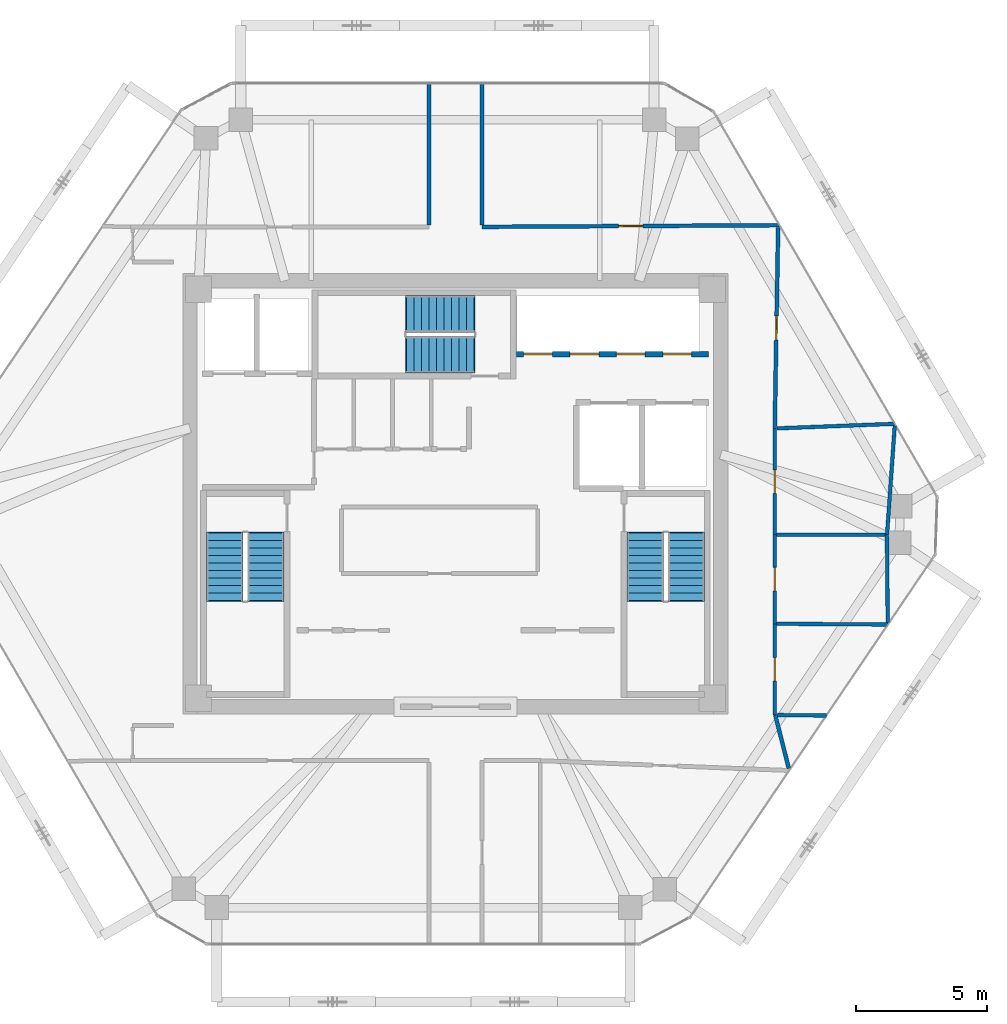
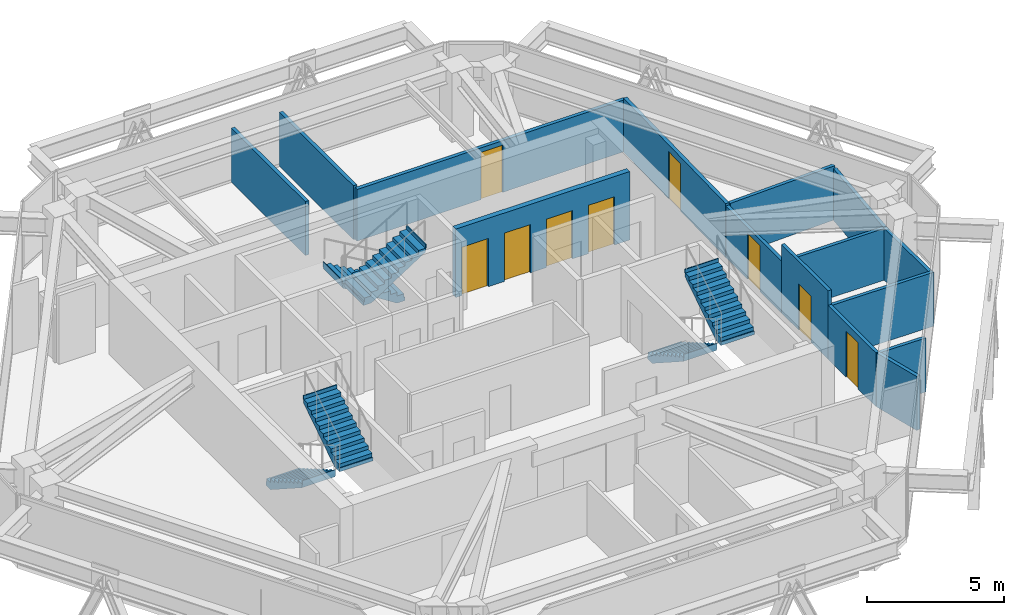
# One storey, part 11 of 12: 15 walls, 9 doors, 6 stair flights, 9 openings, 3 elements without a shape of their own.
"""IFC4 building model written with IfcOpenShell, lengths in metres."""

from ifc_helpers import new_model, si_unit, direction, frame, frame_2d, origin, place, context, subcontext, project, spatial, polyline, rectangle, outline, extrude, source, transform, mapped, material, layer, layer_set, type_object, type_shapes, element, fill, aggregate, save


model = new_model("IFC4")

# Units and contexts
model_context = context("Model", 3, precision=1e-05, world=origin(), true_north=direction((0.0, 1.0)))
body_context = subcontext(model_context, "Body", "Model", "MODEL_VIEW")
ifc_project = project(units=[si_unit("LENGTHUNIT", "METRE"), si_unit("AREAUNIT", "SQUARE_METRE"), si_unit("VOLUMEUNIT", "CUBIC_METRE"), si_unit("PLANEANGLEUNIT", "RADIAN"), si_unit("MASSUNIT", "GRAM", prefix="KILO")], contexts=[model_context])

# Site, building, storey
site_placement = place(None, origin())
site = spatial("IfcSite", under=ifc_project, at=site_placement, CompositionType="ELEMENT")
building_placement = place(site_placement, origin())
building = spatial("IfcBuilding", under=site, at=building_placement, Name="Durnholm Broadcast Tower", CompositionType="ELEMENT")
storey_placement = place(building_placement, frame((0.0, 0.0, 221.60009765625)))
storey = spatial("IfcBuildingStorey", under=building, at=storey_placement, Name="L61", CompositionType="ELEMENT", Elevation=221.60009765625)

# Wall
ifc_material_1 = material(Name="Acoustic Gypsum Stud Partition", Category="concrete")
ifc_layer_1 = layer(ifc_material_1, 0.14990234375)
ifc_layer_set_1 = layer_set([ifc_layer_1], Name="Acoustic Gypsum Stud Partition")
wall_type_1 = type_object("IfcWallType", Name="WALL-PART-150", PredefinedType="PARTITIONING", material=ifc_layer_set_1)
wall_1_placement = place(storey_placement, frame((-1.010009765625, 15.662109375, 0.0), z_axis=(0.0, 0.0, 1.0), x_axis=(0.0, -1.0, 0.0)))
element("IfcWall", 1, at=wall_1_placement, inside=storey, type_object=wall_type_1, Name="L61 Open Plan Broadcast Workspace 2 corridor partition", PredefinedType="PARTITIONING", context=body_context, shape_type="SweptSolid", body=[
    extrude(rectangle(XDim=5.403076171875, YDim=0.14990234375, at=frame_2d((2.70166015625, 0.0))), origin(), (0.0, 0.0, 1.0), 2.398681640625),
])

# Wall, opening, door
wall_2_placement = place(storey_placement, frame((12.368408203125, 10.242919921875, 0.0), z_axis=(0.0, 0.0, 1.0), x_axis=(-0.999984623931, -0.005545439622, 0.0)))
wall_2 = element("IfcWall", 2, at=wall_2_placement, inside=storey, type_object=wall_type_1, Name="L61 Open Plan Broadcast Workspace 3 corridor partition", PredefinedType="PARTITIONING", context=body_context, shape_type="SweptSolid", body=[
    extrude(rectangle(XDim=11.358642578125, YDim=0.14990234375, at=frame_2d((5.67919921875, 0.0))), origin(), (0.0, 0.0, 1.0), 2.30126953125),
])
opening_1_placement = place(wall_2_placement, frame((5.21923828125, 0.0, 0.0)))
opening_1 = element("IfcOpeningElement", 3, at=opening_1_placement, cuts=wall_2, Name="Opening DR-92R", PredefinedType="OPENING", context=body_context, shape_type="SweptSolid", body=[
    extrude(rectangle(XDim=0.919921875, YDim=2.10009765625, at=frame_2d((0.4599609375, 1.050048828125))), frame((0.0, 0.0849609375, 0.0), z_axis=(0.0, -1.0, 0.0), x_axis=(1.0, 0.0, 0.0)), (0.0, 0.0, 1.0), 0.169921875),
])
ifc_material_2 = material(Name="Oak Veneer Office Door", Category="wood")
ifc_layer_2 = layer(ifc_material_2, 0.050048828125)
ifc_layer_set_2 = layer_set([ifc_layer_2], Name="Oak Veneer Office Door")
door_type_1 = type_object("IfcDoorType", Name="DOOR-RM-920R", OperationType="NOTDEFINED", PredefinedType="DOOR", material=ifc_layer_set_2)
shared_shape_1 = source(origin(), body_context, "Body", "SweptSolid", [
    extrude(rectangle(XDim=0.919921875, YDim=2.10009765625, at=frame_2d((0.4599609375, 1.050048828125))), frame((0.0, 0.02490234375, 0.0), z_axis=(0.0, -1.0, 0.0), x_axis=(1.0, 0.0, 0.0)), (0.0, 0.0, 1.0), 0.050048828125),
])
type_shapes(door_type_1, [shared_shape_1])
door_1_placement = place(opening_1_placement, origin())
door_1 = element("IfcDoor", 4, at=door_1_placement, inside=storey, type_object=door_type_1, Name="L61 Open Plan Broadcast Workspace 3 entrance door", OperationType="SINGLE_SWING_RIGHT", OverallHeight=2.10009765625, OverallWidth=0.919921875, PredefinedType="DOOR", context=body_context, shape_type="MappedRepresentation", body=[
    mapped(shared_shape_1, transform((0.0, 0.0, 0.0), x_axis=(1.0, 0.0, 0.0), y_axis=(0.0, 1.0, 0.0), z_axis=(0.0, 0.0, 1.0), scale=1.0)),
])
fill(opening_1, door_1)

# Walls
wall_3_placement = place(storey_placement, frame((1.010009765625, 10.259033203125, 0.0), z_axis=(0.0, 0.0, 1.0), x_axis=(0.0, 1.0, 0.0)))
element("IfcWall", 5, at=wall_3_placement, inside=storey, type_object=wall_type_1, Name="L61 Open Plan Broadcast Workspace 3 corridor partition", PredefinedType="PARTITIONING", context=body_context, shape_type="SweptSolid", body=[
    extrude(rectangle(XDim=5.403076171875, YDim=0.14990234375, at=frame_2d((2.70166015625, 0.0))), origin(), (0.0, 0.0, 1.0), 2.398681640625),
])
wall_4_placement = place(storey_placement, frame((12.718505859375, -10.477783203125, 0.0), z_axis=(0.0, 0.0, 1.0), x_axis=(-0.246494896578, 0.96914408937, 0.0)))
element("IfcWall", 6, at=wall_4_placement, inside=storey, type_object=wall_type_1, Name="L61 Open Plan Broadcast Workspace 6 corridor partition", PredefinedType="PARTITIONING", context=body_context, shape_type="SweptSolid", body=[
    extrude(rectangle(XDim=2.102783203125, YDim=0.14990234375, at=frame_2d((1.05126953125, 0.0))), origin(), (0.0, 0.0, 1.0), 2.398681640625),
])

# Wall, opening, door
wall_5_placement = place(storey_placement, frame((12.181396484375, 2.489990234375, 0.0), z_axis=(0.0, 0.0, 1.0), x_axis=(0.016828134389, 0.999858396921, 0.0)))
wall_5 = element("IfcWall", 7, at=wall_5_placement, inside=storey, type_object=wall_type_1, Name="L61 Open Plan Broadcast Workspace 3 corridor partition", PredefinedType="PARTITIONING", context=body_context, shape_type="SweptSolid", body=[
    extrude(rectangle(XDim=7.674560546875, YDim=0.14990234375, at=frame_2d((3.83740234375, 0.0))), origin(), (0.0, 0.0, 1.0), 2.398681640625),
])
opening_2_placement = place(wall_5_placement, frame((3.377197265625, 0.0, 0.0)))
opening_2 = element("IfcOpeningElement", 8, at=opening_2_placement, cuts=wall_5, Name="Opening DR-92R", PredefinedType="OPENING", context=body_context, shape_type="SweptSolid", body=[
    extrude(rectangle(XDim=0.919921875, YDim=2.10009765625, at=frame_2d((0.4599609375, 1.050048828125))), frame((0.0, 0.0849609375, 0.0), z_axis=(0.0, -1.0, 0.0), x_axis=(1.0, 0.0, 0.0)), (0.0, 0.0, 1.0), 0.169921875),
])
door_2_placement = place(opening_2_placement, origin())
door_2 = element("IfcDoor", 9, at=door_2_placement, inside=storey, type_object=door_type_1, Name="L61 Open Plan Broadcast Workspace 3 entrance door", OperationType="SINGLE_SWING_RIGHT", OverallHeight=2.10009765625, OverallWidth=0.919921875, PredefinedType="DOOR", context=body_context, shape_type="MappedRepresentation", body=[
    mapped(shared_shape_1, transform((0.0, 0.0, 0.0), x_axis=(1.0, 0.0, 0.0), y_axis=(0.0, 1.0, 0.0), z_axis=(0.0, 0.0, 1.0), scale=1.0)),
])
fill(opening_2, door_2)

# Wall, openings, doors
ifc_material_3 = material(Name="Concrete Blockwork C30/37", Category="masonry")
ifc_layer_3 = layer(ifc_material_3, 0.219970703125)
ifc_layer_set_3 = layer_set([ifc_layer_3], Name="Concrete Blockwork C30/37")
wall_type_2 = type_object("IfcWallType", Name="WALL-SHAFT-220", PredefinedType="SOLIDWALL", material=ifc_layer_set_3)
wall_6_placement = place(storey_placement, frame((2.324951171875, 5.320068359375, 0.0), z_axis=(0.0, 0.0, 1.0), x_axis=(1.0, 0.0, 0.0)))
wall_6 = element("IfcWall", 10, at=wall_6_placement, inside=storey, type_object=wall_type_2, Name="L61 high-rise bank P3 south front wall", PredefinedType="SOLIDWALL", context=body_context, shape_type="SweptSolid", body=[
    extrude(rectangle(XDim=7.324951171875, YDim=0.219970703125, at=frame_2d((3.66259765625, 0.0))), origin(), (0.0, 0.0, 1.0), 3.044921875),
])
opening_3_placement = place(wall_6_placement, frame((0.27490234375, 0.0, 0.0)))
opening_3 = element("IfcOpeningElement", 11, at=opening_3_placement, cuts=wall_6, Name="Opening LD-LP3-1", PredefinedType="OPENING", context=body_context, shape_type="SweptSolid", body=[
    extrude(rectangle(XDim=1.10009765625, YDim=2.14990234375, at=frame_2d((0.550048828125, 1.074951171875))), frame((0.0, 0.1201171875, 0.0), z_axis=(0.0, -1.0, 0.0), x_axis=(1.0, 0.0, 0.0)), (0.0, 0.0, 1.0), 0.239990234375),
])
opening_4_placement = place(wall_6_placement, frame((2.044921875, 0.0, 0.0)))
opening_4 = element("IfcOpeningElement", 12, at=opening_4_placement, cuts=wall_6, Name="Opening LD-LP3-2", PredefinedType="OPENING", context=body_context, shape_type="SweptSolid", body=[
    extrude(rectangle(XDim=1.10009765625, YDim=2.14990234375, at=frame_2d((0.550048828125, 1.074951171875))), frame((0.0, 0.1201171875, 0.0), z_axis=(0.0, -1.0, 0.0), x_axis=(1.0, 0.0, 0.0)), (0.0, 0.0, 1.0), 0.239990234375),
])
opening_5_placement = place(wall_6_placement, frame((3.81494140625, 0.0, 0.0)))
opening_5 = element("IfcOpeningElement", 13, at=opening_5_placement, cuts=wall_6, Name="Opening LD-LP3-3", PredefinedType="OPENING", context=body_context, shape_type="SweptSolid", body=[
    extrude(rectangle(XDim=1.10009765625, YDim=2.14990234375, at=frame_2d((0.550048828125, 1.074951171875))), frame((0.0, 0.1201171875, 0.0), z_axis=(0.0, -1.0, 0.0), x_axis=(1.0, 0.0, 0.0)), (0.0, 0.0, 1.0), 0.239990234375),
])
opening_6_placement = place(wall_6_placement, frame((5.5849609375, 0.0, 0.0)))
opening_6 = element("IfcOpeningElement", 14, at=opening_6_placement, cuts=wall_6, Name="Opening LD-LP3-4", PredefinedType="OPENING", context=body_context, shape_type="SweptSolid", body=[
    extrude(rectangle(XDim=1.10009765625, YDim=2.14990234375, at=frame_2d((0.550048828125, 1.074951171875))), frame((0.0, 0.1201171875, 0.0), z_axis=(0.0, -1.0, 0.0), x_axis=(1.0, 0.0, 0.0)), (0.0, 0.0, 1.0), 0.239990234375),
])
ifc_material_4 = material(Name="Stainless Steel Sliding Elevator Landing Door", Category="steel")
ifc_layer_4 = layer(ifc_material_4, 0.050048828125)
ifc_layer_set_4 = layer_set([ifc_layer_4], Name="Stainless Steel Sliding Elevator Landing Door")
door_type_2 = type_object("IfcDoorType", Name="DOOR-LIFT-PAX", OperationType="DOUBLE_DOOR_SLIDING", PredefinedType="DOOR", material=ifc_layer_set_4)
shared_shape_2 = source(origin(), body_context, "Body", "SweptSolid", [
    extrude(rectangle(XDim=1.10009765625, YDim=2.14990234375, at=frame_2d((0.550048828125, 1.074951171875))), frame((0.0, 0.02490234375, 0.0), z_axis=(0.0, -1.0, 0.0), x_axis=(1.0, 0.0, 0.0)), (0.0, 0.0, 1.0), 0.050048828125),
])
type_shapes(door_type_2, [shared_shape_2])
door_3_placement = place(opening_3_placement, origin())
door_3 = element("IfcDoor", 15, at=door_3_placement, inside=storey, type_object=door_type_2, Name="L61 high-rise elevator LP3-1 sliding landing door", OperationType="DOUBLE_DOOR_SLIDING", OverallHeight=2.14990234375, OverallWidth=1.10009765625, PredefinedType="DOOR", context=body_context, shape_type="MappedRepresentation", body=[
    mapped(shared_shape_2, transform((0.0, 0.0, 0.0), x_axis=(1.0, 0.0, 0.0), y_axis=(0.0, 1.0, 0.0), z_axis=(0.0, 0.0, 1.0), scale=1.0)),
])
fill(opening_3, door_3)
door_4_placement = place(opening_4_placement, origin())
door_4 = element("IfcDoor", 16, at=door_4_placement, inside=storey, type_object=door_type_2, Name="L61 high-rise elevator LP3-2 sliding landing door", OperationType="DOUBLE_DOOR_SLIDING", OverallHeight=2.14990234375, OverallWidth=1.10009765625, PredefinedType="DOOR", context=body_context, shape_type="MappedRepresentation", body=[
    mapped(shared_shape_2, transform((0.0, 0.0, 0.0), x_axis=(1.0, 0.0, 0.0), y_axis=(0.0, 1.0, 0.0), z_axis=(0.0, 0.0, 1.0), scale=1.0)),
])
fill(opening_4, door_4)
door_5_placement = place(opening_5_placement, origin())
door_5 = element("IfcDoor", 17, at=door_5_placement, inside=storey, type_object=door_type_2, Name="L61 high-rise elevator LP3-3 sliding landing door", OperationType="DOUBLE_DOOR_SLIDING", OverallHeight=2.14990234375, OverallWidth=1.10009765625, PredefinedType="DOOR", context=body_context, shape_type="MappedRepresentation", body=[
    mapped(shared_shape_2, transform((0.0, 0.0, 0.0), x_axis=(1.0, 0.0, 0.0), y_axis=(0.0, 1.0, 0.0), z_axis=(0.0, 0.0, 1.0), scale=1.0)),
])
fill(opening_5, door_5)
door_6_placement = place(opening_6_placement, origin())
door_6 = element("IfcDoor", 18, at=door_6_placement, inside=storey, type_object=door_type_2, Name="L61 high-rise elevator LP3-4 sliding landing door", OperationType="DOUBLE_DOOR_SLIDING", OverallHeight=2.14990234375, OverallWidth=1.10009765625, PredefinedType="DOOR", context=body_context, shape_type="MappedRepresentation", body=[
    mapped(shared_shape_2, transform((0.0, 0.0, 0.0), x_axis=(1.0, 0.0, 0.0), y_axis=(0.0, 1.0, 0.0), z_axis=(0.0, 0.0, 1.0), scale=1.0)),
])
fill(opening_6, door_6)

# Wall, opening, door
ifc_material_5 = material(Name="Moisture-Resistant Tile Partition", Category="concrete")
ifc_layer_5 = layer(ifc_material_5, 0.139892578125)
ifc_layer_set_5 = layer_set([ifc_layer_5], Name="Moisture-Resistant Tile Partition")
wall_type_3 = type_object("IfcWallType", Name="WALL-WC-140", PredefinedType="PARTITIONING", material=ifc_layer_set_5)
wall_7_placement = place(storey_placement, frame((12.179931640625, -8.43994140625, 0.0), z_axis=(0.0, 0.0, 1.0), x_axis=(0.0, 1.0, 0.0)))
wall_7 = element("IfcWall", 19, at=wall_7_placement, inside=storey, type_object=wall_type_3, Name="L61 Men's Restroom corridor partition", PredefinedType="PARTITIONING", context=body_context, shape_type="SweptSolid", body=[
    extrude(rectangle(XDim=3.47998046875, YDim=0.139892578125, at=frame_2d((1.739990234375, 0.0))), origin(), (0.0, 0.0, 1.0), 2.398681640625),
])
opening_7_placement = place(wall_7_placement, frame((1.2900390625, 0.0, 0.0)))
opening_7 = element("IfcOpeningElement", 20, at=opening_7_placement, cuts=wall_7, Name="Opening DW-90R", PredefinedType="OPENING", context=body_context, shape_type="SweptSolid", body=[
    extrude(rectangle(XDim=0.89990234375, YDim=2.050048828125, at=frame_2d((0.449951171875, 1.02490234375))), frame((0.0, 0.080078125, 0.0), z_axis=(0.0, -1.0, 0.0), x_axis=(1.0, 0.0, 0.0)), (0.0, 0.0, 1.0), 0.159912109375),
])
ifc_material_6 = material(Name="Laminate Restroom Door", Category="steel")
ifc_layer_6 = layer(ifc_material_6, 0.050048828125)
ifc_layer_set_6 = layer_set([ifc_layer_6], Name="Laminate Restroom Door")
door_type_3 = type_object("IfcDoorType", Name="DOOR-WC-900R", OperationType="NOTDEFINED", PredefinedType="DOOR", material=ifc_layer_set_6)
shared_shape_3 = source(origin(), body_context, "Body", "SweptSolid", [
    extrude(rectangle(XDim=0.89990234375, YDim=2.050048828125, at=frame_2d((0.449951171875, 1.02490234375))), frame((0.0, 0.02490234375, 0.0), z_axis=(0.0, -1.0, 0.0), x_axis=(1.0, 0.0, 0.0)), (0.0, 0.0, 1.0), 0.050048828125),
])
type_shapes(door_type_3, [shared_shape_3])
door_7_placement = place(opening_7_placement, origin())
door_7 = element("IfcDoor", 21, at=door_7_placement, inside=storey, type_object=door_type_3, Name="L61 Men's Restroom entrance door", OperationType="SINGLE_SWING_RIGHT", OverallHeight=2.050048828125, OverallWidth=0.89990234375, PredefinedType="DOOR", context=body_context, shape_type="MappedRepresentation", body=[
    mapped(shared_shape_3, transform((0.0, 0.0, 0.0), x_axis=(1.0, 0.0, 0.0), y_axis=(0.0, 1.0, 0.0), z_axis=(0.0, 0.0, 1.0), scale=1.0)),
])
fill(opening_7, door_7)

wall_8_placement = place(storey_placement, frame((12.179931640625, -4.9599609375, 0.0), z_axis=(0.0, 0.0, 1.0), x_axis=(0.0, 1.0, 0.0)))
wall_8 = element("IfcWall", 22, at=wall_8_placement, inside=storey, type_object=wall_type_3, Name="L61 Women's Restroom corridor partition", PredefinedType="PARTITIONING", context=body_context, shape_type="SweptSolid", body=[
    extrude(rectangle(XDim=3.39990234375, YDim=0.139892578125, at=frame_2d((1.699951171875, 0.0))), origin(), (0.0, 0.0, 1.0), 3.044921875),
])
opening_8_placement = place(wall_8_placement, frame((1.25, 0.0, 0.0)))
opening_8 = element("IfcOpeningElement", 23, at=opening_8_placement, cuts=wall_8, Name="Opening DW-90L", PredefinedType="OPENING", context=body_context, shape_type="SweptSolid", body=[
    extrude(rectangle(XDim=0.89990234375, YDim=2.050048828125, at=frame_2d((0.449951171875, 1.02490234375))), frame((0.0, 0.080078125, 0.0), z_axis=(0.0, -1.0, 0.0), x_axis=(1.0, 0.0, 0.0)), (0.0, 0.0, 1.0), 0.159912109375),
])
ifc_layer_7 = layer(ifc_material_6, 0.050048828125)
ifc_layer_set_7 = layer_set([ifc_layer_7], Name="Laminate Restroom Door")
door_type_4 = type_object("IfcDoorType", Name="DOOR-WC-900L", OperationType="NOTDEFINED", PredefinedType="DOOR", material=ifc_layer_set_7)
shared_shape_4 = source(origin(), body_context, "Body", "SweptSolid", [
    extrude(rectangle(XDim=0.89990234375, YDim=2.050048828125, at=frame_2d((0.449951171875, 1.02490234375))), frame((0.0, 0.02490234375, 0.0), z_axis=(0.0, -1.0, 0.0), x_axis=(1.0, 0.0, 0.0)), (0.0, 0.0, 1.0), 0.050048828125),
])
type_shapes(door_type_4, [shared_shape_4])
door_8_placement = place(opening_8_placement, origin())
door_8 = element("IfcDoor", 24, at=door_8_placement, inside=storey, type_object=door_type_4, Name="L61 Women's Restroom entrance door", OperationType="SINGLE_SWING_LEFT", OverallHeight=2.050048828125, OverallWidth=0.89990234375, PredefinedType="DOOR", context=body_context, shape_type="MappedRepresentation", body=[
    mapped(shared_shape_4, transform((0.0, 0.0, 0.0), x_axis=(1.0, 0.0, 0.0), y_axis=(0.0, 1.0, 0.0), z_axis=(0.0, 0.0, 1.0), scale=1.0)),
])
fill(opening_8, door_8)

wall_9_placement = place(storey_placement, frame((12.179931640625, -1.56005859375, 0.0), z_axis=(0.0, 0.0, 1.0), x_axis=(0.0, 1.0, 0.0)))
wall_9 = element("IfcWall", 25, at=wall_9_placement, inside=storey, type_object=wall_type_3, Name="L61 Accessible Restroom corridor partition", PredefinedType="PARTITIONING", context=body_context, shape_type="SweptSolid", body=[
    extrude(rectangle(XDim=4.050048828125, YDim=0.139892578125, at=frame_2d((2.02490234375, 0.0))), origin(), (0.0, 0.0, 1.0), 2.30126953125),
])
opening_9_placement = place(wall_9_placement, frame((1.574951171875, 0.0, 0.0)))
opening_9 = element("IfcOpeningElement", 26, at=opening_9_placement, cuts=wall_9, Name="Opening DW-90R", PredefinedType="OPENING", context=body_context, shape_type="SweptSolid", body=[
    extrude(rectangle(XDim=0.89990234375, YDim=2.050048828125, at=frame_2d((0.449951171875, 1.02490234375))), frame((0.0, 0.080078125, 0.0), z_axis=(0.0, -1.0, 0.0), x_axis=(1.0, 0.0, 0.0)), (0.0, 0.0, 1.0), 0.159912109375),
])
door_9_placement = place(opening_9_placement, origin())
door_9 = element("IfcDoor", 27, at=door_9_placement, inside=storey, type_object=door_type_3, Name="L61 Accessible Restroom entrance door", OperationType="SINGLE_SWING_RIGHT", OverallHeight=2.050048828125, OverallWidth=0.89990234375, PredefinedType="DOOR", context=body_context, shape_type="MappedRepresentation", body=[
    mapped(shared_shape_3, transform((0.0, 0.0, 0.0), x_axis=(1.0, 0.0, 0.0), y_axis=(0.0, 1.0, 0.0), z_axis=(0.0, 0.0, 1.0), scale=1.0)),
])
fill(opening_9, door_9)

# Walls
wall_10_placement = place(storey_placement, frame((12.25390625, -4.96044921875, 0.0), z_axis=(0.0, 0.0, 1.0), x_axis=(0.999976630429, -0.006836563198, 0.0)))
element("IfcWall", 28, at=wall_10_placement, inside=storey, type_object=wall_type_3, Name="L61 room dividing partition 9.10", PredefinedType="PARTITIONING", context=body_context, shape_type="SweptSolid", body=[
    extrude(rectangle(XDim=4.24951171875, YDim=0.139892578125, at=frame_2d((2.124755859375, 0.0))), origin(), (0.0, 0.0, 1.0), 2.398681640625),
])
wall_11_placement = place(storey_placement, frame((14.155517578125, -8.46240234375, 0.0), z_axis=(0.0, 0.0, 1.0), x_axis=(-0.999935742613, 0.011336253532, 0.0)))
element("IfcWall", 29, at=wall_11_placement, inside=storey, type_object=wall_type_3, Name="L61 room dividing partition 9.16", PredefinedType="PARTITIONING", context=body_context, shape_type="SweptSolid", body=[
    extrude(rectangle(XDim=1.87353515625, YDim=0.139892578125, at=frame_2d((0.936767578125, 0.0))), origin(), (0.0, 0.0, 1.0), 2.398681640625),
])
wall_12_placement = place(storey_placement, frame((12.25390625, -1.56005859375, 0.0), z_axis=(0.0, 0.0, 1.0), x_axis=(1.0, 0.0, 0.0)))
element("IfcWall", 30, at=wall_12_placement, inside=storey, type_object=wall_type_3, Name="L61 room dividing partition 10.11", PredefinedType="PARTITIONING", context=body_context, shape_type="SweptSolid", body=[
    extrude(rectangle(XDim=4.2060546875, YDim=0.139892578125, at=frame_2d((2.10302734375, 0.0))), origin(), (0.0, 0.0, 1.0), 2.30126953125),
])
wall_13_placement = place(storey_placement, frame((16.4599609375, -1.56005859375, 0.0), z_axis=(0.0, 0.0, 1.0), x_axis=(0.009604446748, -0.999953876238, 0.0)))
element("IfcWall", 31, at=wall_13_placement, inside=storey, type_object=wall_type_3, Name="L61 room dividing partition 10.19", PredefinedType="PARTITIONING", context=body_context, shape_type="SweptSolid", body=[
    extrude(rectangle(XDim=3.35546875, YDim=0.139892578125, at=frame_2d((1.677734375, 0.0))), origin(), (0.0, 0.0, 1.0), 2.30126953125),
])
wall_14_placement = place(storey_placement, frame((12.260498046875, 2.4931640625, 0.0), z_axis=(0.0, 0.0, 1.0), x_axis=(0.999256206289, 0.038562082324, 0.0)))
element("IfcWall", 32, at=wall_14_placement, inside=storey, type_object=wall_type_3, Name="L61 room dividing partition 11.19", PredefinedType="PARTITIONING", context=body_context, shape_type="SweptSolid", body=[
    extrude(rectangle(XDim=4.5078125, YDim=0.139892578125, at=frame_2d((2.25390625, 0.0))), origin(), (0.0, 0.0, 1.0), 2.398681640625),
])
wall_15_placement = place(storey_placement, frame((16.759521484375, 2.5927734375, 0.0), z_axis=(0.0, 0.0, 1.0), x_axis=(-0.07055102187, -0.997508172053, 0.0)))
element("IfcWall", 33, at=wall_15_placement, inside=storey, type_object=wall_type_3, Name="L61 room dividing partition 11.19", PredefinedType="PARTITIONING", context=body_context, shape_type="SweptSolid", body=[
    extrude(rectangle(XDim=4.162841796875, YDim=0.139892578125, at=frame_2d((2.08154296875, 0.0))), origin(), (0.0, 0.0, 1.0), 2.30126953125),
])

# Stair, stair flights
ifc_material_7 = material(Name="Concrete C50/60", Category="concrete")
stair_type = type_object("IfcStairType", Name="STAIR-DL-20R1650", PredefinedType="HALF_TURN_STAIR", material=ifc_material_7)
stair_1_placement = place(storey_placement, origin())
stair_1 = element("IfcStair", 34, at=stair_1_placement, inside=storey, type_object=stair_type, Name="L61 ST-1", PredefinedType="HALF_TURN_STAIR")
stair_flight_type = type_object("IfcStairFlightType", Name="FLIGHT-DL-20R1650", PredefinedType="STRAIGHT", material=ifc_material_7)
stair_flight_1_placement = place(storey_placement, frame((-8.800048828125, -1.5, 0.0), z_axis=(0.0, 0.0, 1.0), x_axis=(0.0, -1.0, 0.0)))
stair_flight_1 = element("IfcStairFlight", 35, at=stair_flight_1_placement, type_object=stair_flight_type, Name="ST-1 flight 1", NumberOfRisers=10, NumberOfTreads=9, PredefinedType="STRAIGHT", RiserHeight=0.165, TreadLength=0.285, context=body_context, shape_type="SweptSolid", body=[
    extrude(outline(polyline([(-0.0400390625, -0.14990234375), (-0.0400390625, 0.0), (0.0, 0.0), (0.0, 0.1650390625), (0.284912109375, 0.1650390625), (0.284912109375, 0.330078125), (0.570068359375, 0.330078125), (0.570068359375, 0.4951171875), (0.85498046875, 0.4951171875), (0.85498046875, 0.659912109375), (1.139892578125, 0.659912109375), (1.139892578125, 0.824951171875), (1.425048828125, 0.824951171875), (1.425048828125, 0.989990234375), (1.7099609375, 0.989990234375), (1.7099609375, 1.155029296875), (1.9951171875, 1.155029296875), (1.9951171875, 1.320068359375), (2.280029296875, 1.320068359375), (2.280029296875, 1.485107421875), (2.56494140625, 1.485107421875), (2.56494140625, 1.64990234375), (2.60498046875, 1.64990234375), (2.60498046875, 1.5), (2.56494140625, 1.311767578125), (0.299072265625, -0.14990234375), (-0.0400390625, -0.14990234375)])), frame((0.0, 0.699951171875, 0.0), z_axis=(0.0, -1.0, 0.0), x_axis=(1.0, 0.0, 0.0)), (0.0, 0.0, 1.0), 1.39990234375),
])
stair_flight_2_placement = place(storey_placement, frame((-7.239990234375, -4.06494140625, 1.64990234375), z_axis=(0.0, 0.0, 1.0), x_axis=(0.0, 1.0, 0.0)))
stair_flight_2 = element("IfcStairFlight", 36, at=stair_flight_2_placement, type_object=stair_flight_type, Name="ST-1 flight 2", NumberOfRisers=10, NumberOfTreads=9, PredefinedType="STRAIGHT", RiserHeight=0.165, TreadLength=0.285, context=body_context, shape_type="SweptSolid", body=[
    extrude(outline(polyline([(-0.0400390625, -0.14990234375), (-0.0400390625, 0.0), (0.0, 0.0), (0.0, 0.1650390625), (0.284912109375, 0.1650390625), (0.284912109375, 0.330078125), (0.570068359375, 0.330078125), (0.570068359375, 0.4951171875), (0.85498046875, 0.4951171875), (0.85498046875, 0.659912109375), (1.139892578125, 0.659912109375), (1.139892578125, 0.824951171875), (1.425048828125, 0.824951171875), (1.425048828125, 0.989990234375), (1.7099609375, 0.989990234375), (1.7099609375, 1.155029296875), (1.9951171875, 1.155029296875), (1.9951171875, 1.320068359375), (2.280029296875, 1.320068359375), (2.280029296875, 1.485107421875), (2.56494140625, 1.485107421875), (2.56494140625, 1.64990234375), (2.60498046875, 1.64990234375), (2.60498046875, 1.5), (2.56494140625, 1.311767578125), (0.299072265625, -0.14990234375), (-0.0400390625, -0.14990234375)])), frame((0.0, 0.699951171875, 0.0), z_axis=(0.0, -1.0, 0.0), x_axis=(1.0, 0.0, 0.0)), (0.0, 0.0, 1.0), 1.39990234375),
])
aggregate(stair_1, [stair_flight_1, stair_flight_2])

stair_2_placement = place(storey_placement, origin())
stair_2 = element("IfcStair", 37, at=stair_2_placement, inside=storey, type_object=stair_type, Name="L61 ST-2", PredefinedType="HALF_TURN_STAIR")
stair_flight_3_placement = place(storey_placement, frame((7.239990234375, -1.5, 0.0), z_axis=(0.0, 0.0, 1.0), x_axis=(0.0, -1.0, 0.0)))
stair_flight_3 = element("IfcStairFlight", 38, at=stair_flight_3_placement, type_object=stair_flight_type, Name="ST-2 flight 1", NumberOfRisers=10, NumberOfTreads=9, PredefinedType="STRAIGHT", RiserHeight=0.165, TreadLength=0.285, context=body_context, shape_type="SweptSolid", body=[
    extrude(outline(polyline([(-0.0400390625, -0.14990234375), (-0.0400390625, 0.0), (0.0, 0.0), (0.0, 0.1650390625), (0.284912109375, 0.1650390625), (0.284912109375, 0.330078125), (0.570068359375, 0.330078125), (0.570068359375, 0.4951171875), (0.85498046875, 0.4951171875), (0.85498046875, 0.659912109375), (1.139892578125, 0.659912109375), (1.139892578125, 0.824951171875), (1.425048828125, 0.824951171875), (1.425048828125, 0.989990234375), (1.7099609375, 0.989990234375), (1.7099609375, 1.155029296875), (1.9951171875, 1.155029296875), (1.9951171875, 1.320068359375), (2.280029296875, 1.320068359375), (2.280029296875, 1.485107421875), (2.56494140625, 1.485107421875), (2.56494140625, 1.64990234375), (2.60498046875, 1.64990234375), (2.60498046875, 1.5), (2.56494140625, 1.311767578125), (0.299072265625, -0.14990234375), (-0.0400390625, -0.14990234375)])), frame((0.0, 0.699951171875, 0.0), z_axis=(0.0, -1.0, 0.0), x_axis=(1.0, 0.0, 0.0)), (0.0, 0.0, 1.0), 1.39990234375),
])
stair_flight_4_placement = place(storey_placement, frame((8.800048828125, -4.06494140625, 1.64990234375), z_axis=(0.0, 0.0, 1.0), x_axis=(0.0, 1.0, 0.0)))
stair_flight_4 = element("IfcStairFlight", 39, at=stair_flight_4_placement, type_object=stair_flight_type, Name="ST-2 flight 2", NumberOfRisers=10, NumberOfTreads=9, PredefinedType="STRAIGHT", RiserHeight=0.165, TreadLength=0.285, context=body_context, shape_type="SweptSolid", body=[
    extrude(outline(polyline([(-0.0400390625, -0.14990234375), (-0.0400390625, 0.0), (0.0, 0.0), (0.0, 0.1650390625), (0.284912109375, 0.1650390625), (0.284912109375, 0.330078125), (0.570068359375, 0.330078125), (0.570068359375, 0.4951171875), (0.85498046875, 0.4951171875), (0.85498046875, 0.659912109375), (1.139892578125, 0.659912109375), (1.139892578125, 0.824951171875), (1.425048828125, 0.824951171875), (1.425048828125, 0.989990234375), (1.7099609375, 0.989990234375), (1.7099609375, 1.155029296875), (1.9951171875, 1.155029296875), (1.9951171875, 1.320068359375), (2.280029296875, 1.320068359375), (2.280029296875, 1.485107421875), (2.56494140625, 1.485107421875), (2.56494140625, 1.64990234375), (2.60498046875, 1.64990234375), (2.60498046875, 1.5), (2.56494140625, 1.311767578125), (0.299072265625, -0.14990234375), (-0.0400390625, -0.14990234375)])), frame((0.0, 0.699951171875, 0.0), z_axis=(0.0, -1.0, 0.0), x_axis=(1.0, 0.0, 0.0)), (0.0, 0.0, 1.0), 1.39990234375),
])
aggregate(stair_2, [stair_flight_3, stair_flight_4])

stair_3_placement = place(storey_placement, origin())
stair_3 = element("IfcStair", 40, at=stair_3_placement, inside=storey, type_object=stair_type, Name="L61 ST-3", PredefinedType="HALF_TURN_STAIR")
stair_flight_5_placement = place(storey_placement, frame((0.699951171875, 6.860107421875, 0.0), z_axis=(0.0, 0.0, 1.0), x_axis=(-1.0, 0.0, 0.0)))
stair_flight_5 = element("IfcStairFlight", 41, at=stair_flight_5_placement, type_object=stair_flight_type, Name="ST-3 flight 1", NumberOfRisers=10, NumberOfTreads=9, PredefinedType="STRAIGHT", RiserHeight=0.165, TreadLength=0.285, context=body_context, shape_type="SweptSolid", body=[
    extrude(outline(polyline([(-0.0400390625, -0.14990234375), (-0.0400390625, 0.0), (0.0, 0.0), (0.0, 0.1650390625), (0.284912109375, 0.1650390625), (0.284912109375, 0.330078125), (0.570068359375, 0.330078125), (0.570068359375, 0.4951171875), (0.85498046875, 0.4951171875), (0.85498046875, 0.659912109375), (1.139892578125, 0.659912109375), (1.139892578125, 0.824951171875), (1.425048828125, 0.824951171875), (1.425048828125, 0.989990234375), (1.7099609375, 0.989990234375), (1.7099609375, 1.155029296875), (1.9951171875, 1.155029296875), (1.9951171875, 1.320068359375), (2.280029296875, 1.320068359375), (2.280029296875, 1.485107421875), (2.56494140625, 1.485107421875), (2.56494140625, 1.64990234375), (2.60498046875, 1.64990234375), (2.60498046875, 1.5), (2.56494140625, 1.311767578125), (0.299072265625, -0.14990234375), (-0.0400390625, -0.14990234375)])), frame((0.0, 0.699951171875, 0.0), z_axis=(0.0, -1.0, 0.0), x_axis=(1.0, 0.0, 0.0)), (0.0, 0.0, 1.0), 1.39990234375),
])
stair_flight_6_placement = place(storey_placement, frame((-1.864990234375, 5.300048828125, 1.64990234375), z_axis=(0.0, 0.0, 1.0), x_axis=(1.0, 0.0, 0.0)))
stair_flight_6 = element("IfcStairFlight", 42, at=stair_flight_6_placement, type_object=stair_flight_type, Name="ST-3 flight 2", NumberOfRisers=10, NumberOfTreads=9, PredefinedType="STRAIGHT", RiserHeight=0.165, TreadLength=0.285, context=body_context, shape_type="SweptSolid", body=[
    extrude(outline(polyline([(-0.0400390625, -0.14990234375), (-0.0400390625, 0.0), (0.0, 0.0), (0.0, 0.1650390625), (0.284912109375, 0.1650390625), (0.284912109375, 0.330078125), (0.570068359375, 0.330078125), (0.570068359375, 0.4951171875), (0.85498046875, 0.4951171875), (0.85498046875, 0.659912109375), (1.139892578125, 0.659912109375), (1.139892578125, 0.824951171875), (1.425048828125, 0.824951171875), (1.425048828125, 0.989990234375), (1.7099609375, 0.989990234375), (1.7099609375, 1.155029296875), (1.9951171875, 1.155029296875), (1.9951171875, 1.320068359375), (2.280029296875, 1.320068359375), (2.280029296875, 1.485107421875), (2.56494140625, 1.485107421875), (2.56494140625, 1.64990234375), (2.60498046875, 1.64990234375), (2.60498046875, 1.5), (2.56494140625, 1.311767578125), (0.299072265625, -0.14990234375), (-0.0400390625, -0.14990234375)])), frame((0.0, 0.699951171875, 0.0), z_axis=(0.0, -1.0, 0.0), x_axis=(1.0, 0.0, 0.0)), (0.0, 0.0, 1.0), 1.39990234375),
])
aggregate(stair_3, [stair_flight_5, stair_flight_6])

save(model, "model.ifc")
